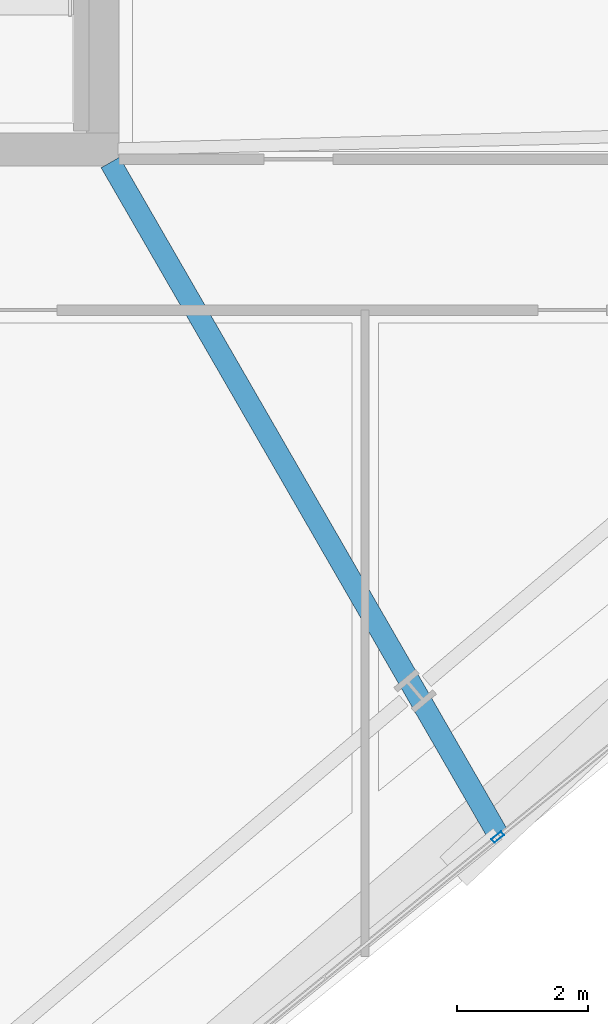
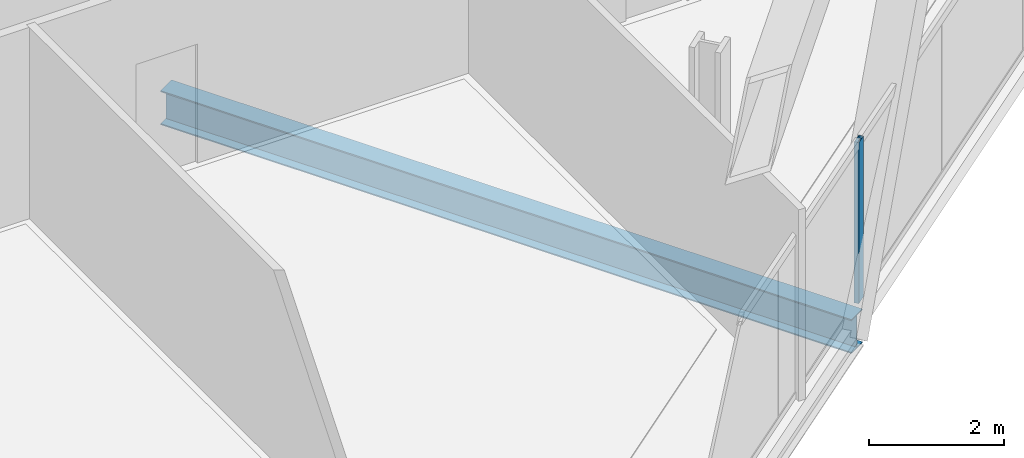
# One storey, part 8 of 36: 1 beam, 1 member, 1 element without a shape of its own.
"""IFC4 building model written with IfcOpenShell, lengths in metres."""

from ifc_helpers import new_model, si_unit, direction, frame, origin, origin_2d, place, context, subcontext, project, spatial, hollow_rectangle, i_section, extrude, material, material_profile, profile_set, type_object, element, aggregate, save


model = new_model("IFC4")

# Units and contexts
model_context = context("Model", 3, precision=1e-05, world=origin(), true_north=direction((0.0, 1.0)))
body_context = subcontext(model_context, "Body", "Model", "MODEL_VIEW")
ifc_project = project(units=[si_unit("LENGTHUNIT", "METRE"), si_unit("AREAUNIT", "SQUARE_METRE"), si_unit("VOLUMEUNIT", "CUBIC_METRE"), si_unit("PLANEANGLEUNIT", "RADIAN"), si_unit("MASSUNIT", "GRAM", prefix="KILO")], contexts=[model_context])

# Site, building, storey
site_placement = place(None, origin())
site = spatial("IfcSite", under=ifc_project, at=site_placement, CompositionType="ELEMENT")
building_placement = place(site_placement, origin())
building = spatial("IfcBuilding", under=site, at=building_placement, Name="Haldenkirk Collegiate Tower", CompositionType="ELEMENT")
storey_placement = place(building_placement, frame((0.0, 0.0, 159.449951171875)))
storey = spatial("IfcBuildingStorey", under=building, at=storey_placement, Name="L39", CompositionType="ELEMENT", Elevation=159.449951171875)

# Beam
ifc_material_1 = material(Name="Steel ASTM A992 Grade 50", Category="steel")
ifc_material_profile_1 = material_profile(ifc_material_1, i_section(OverallWidth=0.324951171875, OverallDepth=0.615966796875, WebThickness=0.013916015625, FlangeThickness=0.021484375, at=origin_2d()), Name="W24X117")
ifc_profile_set_1 = profile_set([ifc_material_profile_1], Name="Steel ASTM A992 Grade 50")
beam_type = type_object("IfcBeamType", Name="BM-GIRDER-W24X117", PredefinedType="BEAM", material=ifc_profile_set_1)
beam_placement = place(storey_placement, frame((51.01953125, 7.563720703125, -0.597900390625), z_axis=(-0.499630048361, 0.866238890131, 0.0), x_axis=(-0.866238890131, -0.499630048361, 0.0)))
element("IfcBeam", 1, at=beam_placement, inside=storey, type_object=beam_type, Name="L39 primary floor girder 06", PredefinedType="BEAM", context=body_context, shape_type="SweptSolid", body=[
    extrude(i_section(OverallWidth=0.324951171875, OverallDepth=0.615966796875, WebThickness=0.013916015625, FlangeThickness=0.021484375, at=origin_2d()), origin(), (0.0, 0.0, 1.0), 11.81787109375),
])

# Curtain wall, member
ifc_material_2 = material(Name="Anodised architectural bronze aluminium", Category="aluminium")
curtain_wall_type = type_object("IfcCurtainWallType", Name="CW-SYS2-CONCAVE", PredefinedType="USERDEFINED", material=ifc_material_2)
curtain_wall_placement = place(storey_placement, origin())
curtain_wall = element("IfcCurtainWall", 2, at=curtain_wall_placement, inside=storey, type_object=curtain_wall_type, Name="L39 South concave recessed bronze-anodised curtain wall", ObjectType="UNITISED CURTAIN WALL", PredefinedType="USERDEFINED")
ifc_material_profile_2 = material_profile(ifc_material_2, hollow_rectangle(XDim=0.074951171875, YDim=0.18994140625, WallThickness=0.0048828125, at=origin_2d()), Name="CW-MUL-02")
ifc_profile_set_2 = profile_set([ifc_material_profile_2], Name="Anodised architectural bronze aluminium")
member_type = type_object("IfcMemberType", Name="CW-MUL-02", PredefinedType="MULLION", material=ifc_profile_set_2)
member_placement = place(storey_placement, frame((51.022705078125, 7.5146484375, 0.0), z_axis=(0.0, 0.0, 1.0), x_axis=(0.630673850131, -0.776047997717, 0.0)))
member = element("IfcMember", 3, at=member_placement, type_object=member_type, Name="CW-02 mullion 3", PredefinedType="MULLION", context=body_context, shape_type="SweptSolid", body=[
    extrude(hollow_rectangle(XDim=0.074951171875, YDim=0.18994140625, WallThickness=0.0048828125, at=origin_2d()), origin(), (0.0, 0.0, 1.0), 2.9111328125),
])
aggregate(curtain_wall, [member])

save(model, "model.ifc")
